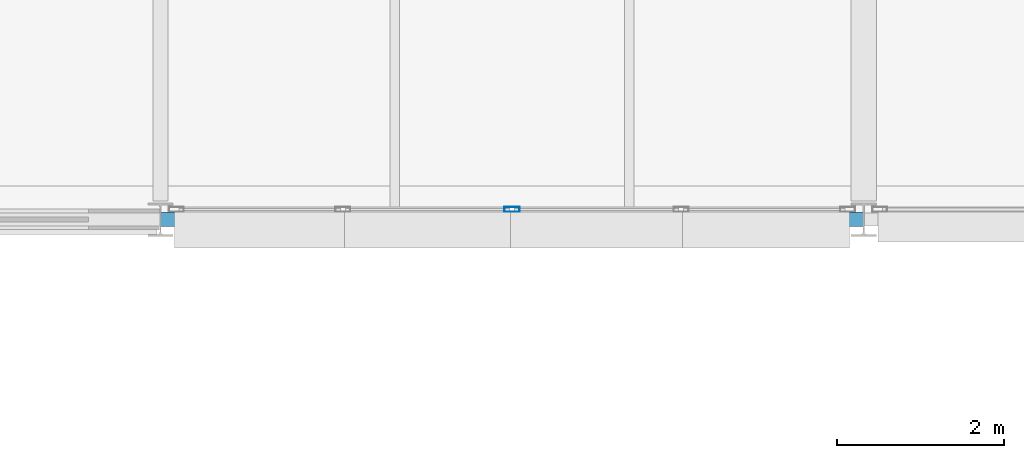
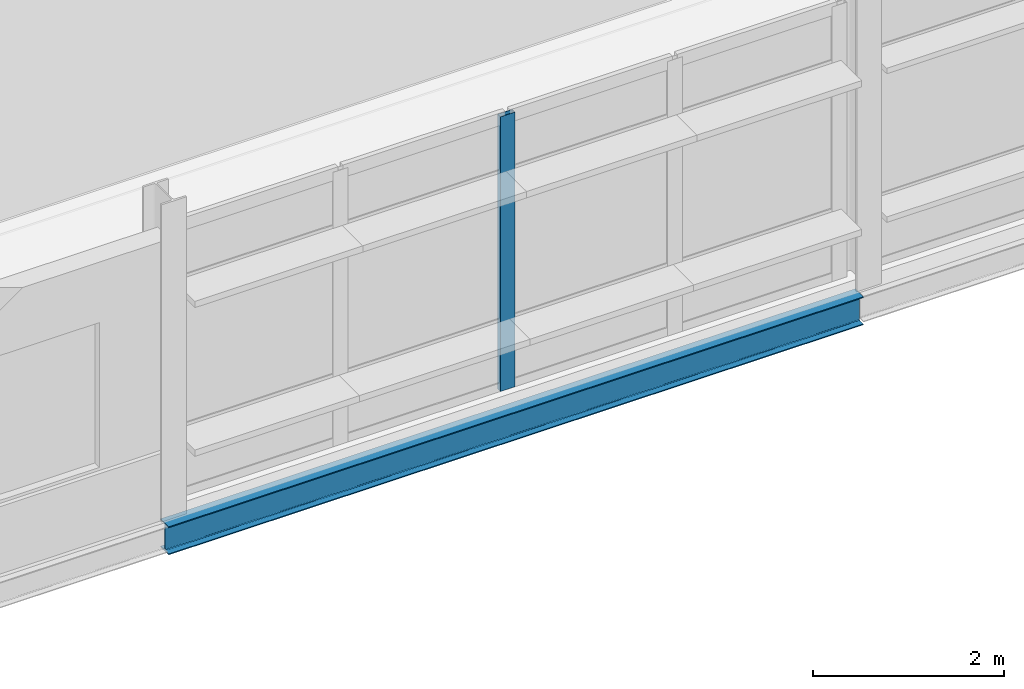
# One storey, part 27 of 103: 1 beam, 1 member, 1 element without a shape of its own.
"""IFC4 building model written with IfcOpenShell, lengths in metres."""

import ifcopenshell
import ifcopenshell.guid

model = None  # the IFC model being written
_history = None  # IfcOwnerHistory: only IFC2X3 demands one
_inside = {}  # id of a spatial element -> (the spatial element, [elements in it])
_under = {}  # id of a project, library or spatial element -> (it, [spatial elements below it])
_declared = {}  # id of a project -> (the project, [libraries it declares])
_typed = {}  # id of a type object -> (the type object, [elements of that type])
_made_of = {}  # id of a material, layer set ... -> (it, [elements and type objects made of it])


def new_model(schema):
    """Start an empty IFC model of exactly this schema.

    Asked for "IFC4X3", IfcOpenShell would pick the latest addendum, in which some entities
    have other attributes; the version numbers below select the first issue.
    IFC2X3 requires an IfcOwnerHistory on every rooted entity: one is made here for all.
    """
    global model, _history
    if schema == "IFC4X3":
        model = ifcopenshell.file(schema_version=(4, 3, 0, 0))
    else:
        model = ifcopenshell.file(schema=schema)
    _inside.clear()
    _under.clear()
    _declared.clear()
    _typed.clear()
    _made_of.clear()
    _history = None
    if model.schema == "IFC2X3":
        org = make("IfcOrganization", Name="unknown")
        user = make(
            "IfcPersonAndOrganization",
            ThePerson=make("IfcPerson", FamilyName="unknown"),
            TheOrganization=org,
        )
        app = make(
            "IfcApplication",
            ApplicationDeveloper=org,
            Version="unknown",
            ApplicationFullName="unknown",
            ApplicationIdentifier="unknown",
        )
        _history = make(
            "IfcOwnerHistory",
            OwningUser=user,
            OwningApplication=app,
            ChangeAction="ADDED",
            CreationDate=0,
        )
    return model


def make(cls, **values):
    """One entity of the class cls with the attributes given. An attribute that is None is left unset."""
    return model.create_entity(
        cls, **{name: value for name, value in values.items() if value is not None}
    )


def rooted(cls, **values):
    """An entity with a GlobalId (a new one), such as an element, a storey or a relation."""
    return make(cls, GlobalId=ifcopenshell.guid.new(), OwnerHistory=_history, **values)


def si_unit(unit_type, name, prefix=None):
    """IfcSIUnit, for example si_unit("LENGTHUNIT", "METRE", prefix="MILLI")."""
    return make("IfcSIUnit", UnitType=unit_type, Prefix=prefix, Name=name)


def assignment(units):
    """IfcUnitAssignment: the units of a project."""
    return None if units is None else make("IfcUnitAssignment", Units=units)


def point(xyz):
    """IfcCartesianPoint."""
    return None if xyz is None else make("IfcCartesianPoint", Coordinates=xyz)


def direction(xyz):
    """IfcDirection."""
    return None if xyz is None else make("IfcDirection", DirectionRatios=xyz)


def frame(location, z_axis=None, x_axis=None):
    """IfcAxis2Placement3D, a coordinate frame: its origin and axes. An axis left out is left unset."""
    return make(
        "IfcAxis2Placement3D",
        Location=point(location),
        Axis=direction(z_axis),
        RefDirection=direction(x_axis),
    )


def frame_2d(location, x_axis=None):
    """IfcAxis2Placement2D, a coordinate frame in the plane: its origin and x axis."""
    return make(
        "IfcAxis2Placement2D", Location=point(location), RefDirection=direction(x_axis)
    )


def origin():
    """The frame at (0, 0, 0) with its axes left unset."""
    return frame((0.0, 0.0, 0.0))


def origin_2d():
    """The frame at (0, 0) in the plane with its x axis left unset."""
    return frame_2d((0.0, 0.0))


def place(relative_to, where):
    """IfcLocalPlacement: puts the frame where relative to a parent placement (None: the world)."""
    return make(
        "IfcLocalPlacement", PlacementRelTo=relative_to, RelativePlacement=where
    )


def context(
    kind, dimensions, precision=None, world=None, true_north=None, identifier=None
):
    """IfcGeometricRepresentationContext, for example the 3D "Model" context."""
    return make(
        "IfcGeometricRepresentationContext",
        ContextIdentifier=identifier,
        ContextType=kind,
        CoordinateSpaceDimension=dimensions,
        Precision=precision,
        WorldCoordinateSystem=world,
        TrueNorth=true_north,
    )


def subcontext(parent, identifier, kind, view, scale=None):
    """IfcGeometricRepresentationSubContext, for example "Body" below "Model"."""
    return make(
        "IfcGeometricRepresentationSubContext",
        ContextIdentifier=identifier,
        ContextType=kind,
        ParentContext=parent,
        TargetScale=scale,
        TargetView=view,
    )


def project(units=None, contexts=None):
    """IfcProject with its units and contexts."""
    return rooted(
        "IfcProject",
        Name="project",
        RepresentationContexts=contexts,
        UnitsInContext=assignment(units),
    )


def spatial(cls, under=None, at=None, **own):
    """A site, building, storey or space (cls), placed at a placement, below another one or the project."""
    s = rooted(cls, ObjectPlacement=at, **own)
    if under is not None:
        _under.setdefault(under.id(), (under, []))[1].append(s)
    return s


def profile(cls, at=None, kind="AREA", **sizes):
    """A parametric profile (cls). Its sizes go by their IFC names, for example OverallWidth=200.0."""
    return make(cls, ProfileType=kind, Position=at, **sizes)


def hollow_rectangle(**sizes):
    """IfcRectangleHollowProfileDef."""
    return profile("IfcRectangleHollowProfileDef", **sizes)


def i_section(**sizes):
    """IfcIShapeProfileDef."""
    return profile("IfcIShapeProfileDef", **sizes)


def extrude(swept, where, along, depth):
    """IfcExtrudedAreaSolid: the profile swept, set in the frame where, extruded along a direction by depth."""
    return make(
        "IfcExtrudedAreaSolid",
        SweptArea=swept,
        Position=where,
        ExtrudedDirection=direction(along),
        Depth=depth,
    )


def shape(context_of_items, identifier, shape_type, items):
    """IfcShapeRepresentation: the items that make up one representation, for example the "Body"."""
    return make(
        "IfcShapeRepresentation",
        ContextOfItems=context_of_items,
        RepresentationIdentifier=identifier,
        RepresentationType=shape_type,
        Items=items,
    )


def material(Name=None, Category=None):
    """IfcMaterial."""
    return make("IfcMaterial", Name=Name, Category=Category)


def material_profile(
    of_material, cross_section, Name=None, Category=None, Priority=None
):
    """IfcMaterialProfile: a cross section and its material."""
    return make(
        "IfcMaterialProfile",
        Name=Name,
        Material=of_material,
        Profile=cross_section,
        Priority=Priority,
        Category=Category,
    )


def profile_set(profiles, Name=None, composite=None):
    """IfcMaterialProfileSet."""
    return make(
        "IfcMaterialProfileSet",
        Name=Name,
        MaterialProfiles=profiles,
        CompositeProfile=composite,
    )


def made_of(thing, what):
    """Note that an element or type object is made of a material, layer set ...; save() writes the relation."""
    if what is not None:
        _made_of.setdefault(what.id(), (what, []))[1].append(thing)
    return thing


def type_object(cls, material=None, **own):
    """A type object (cls), such as IfcWallType, which elements share."""
    return made_of(rooted(cls, **own), material)


def element(
    cls,
    number,
    at=None,
    inside=None,
    cuts=None,
    type_object=None,
    material=None,
    context=None,
    identifier="Body",
    shape_type=None,
    held_by="IfcProductDefinitionShape",
    body=None,
    shapes=None,
    **own,
):
    """One element of the class cls, such as IfcWall. Its Tag is "e" and its number.

    at: its placement. inside: the storey or other place that contains it. cuts: it is an
    opening in that element (IfcRelVoidsElement). A single representation is given by context,
    identifier, shape_type and body (its items); several are given by shapes. held_by: the class
    of the entity that holds the representations. save() writes the other relations.
    """
    e = rooted(cls, Tag="e%d" % number, ObjectPlacement=at, **own)
    if body is not None:
        shapes = [shape(context, identifier, shape_type, body)]
    if shapes is not None:
        e.Representation = make(held_by, Representations=shapes)
    if inside is not None:
        _inside.setdefault(inside.id(), (inside, []))[1].append(e)
    if cuts is not None:
        rooted(
            "IfcRelVoidsElement", RelatingBuildingElement=cuts, RelatedOpeningElement=e
        )
    if type_object is not None:
        _typed.setdefault(type_object.id(), (type_object, []))[1].append(e)
    return made_of(e, material)


def aggregate(whole, parts):
    """IfcRelAggregates: a whole, such as a stair, and the parts it consists of."""
    return rooted("IfcRelAggregates", RelatingObject=whole, RelatedObjects=parts)


def save(model, path):
    """Write the relations noted so far, then the file.

    IfcRelAggregates (storeys below a building ...), IfcRelContainedInSpatialStructure (elements
    in a storey), IfcRelDefinesByType, IfcRelAssociatesMaterial and IfcRelDeclares: one each for
    every whole, place, type object, material and project.
    """
    for whole, parts in _under.values():
        aggregate(whole, parts)
    for where, things in _inside.values():
        rooted(
            "IfcRelContainedInSpatialStructure",
            RelatedElements=things,
            RelatingStructure=where,
        )
    for kind, things in _typed.values():
        rooted("IfcRelDefinesByType", RelatedObjects=things, RelatingType=kind)
    for what, things in _made_of.values():
        rooted("IfcRelAssociatesMaterial", RelatedObjects=things, RelatingMaterial=what)
    for by, libraries in _declared.values():
        rooted("IfcRelDeclares", RelatingContext=by, RelatedDefinitions=libraries)
    model.write(path)


model = new_model("IFC4")

# Units and contexts
model_context = context("Model", 3, precision=1e-05, world=origin(), true_north=direction((0.0, 1.0)))
body_context = subcontext(model_context, "Body", "Model", "MODEL_VIEW")
ifc_project = project(units=[si_unit("LENGTHUNIT", "METRE"), si_unit("AREAUNIT", "SQUARE_METRE"), si_unit("VOLUMEUNIT", "CUBIC_METRE"), si_unit("PLANEANGLEUNIT", "RADIAN"), si_unit("MASSUNIT", "GRAM", prefix="KILO")], contexts=[model_context])

# Site, building, storey
site_placement = place(None, origin())
site = spatial("IfcSite", under=ifc_project, at=site_placement, CompositionType="ELEMENT")
building_placement = place(site_placement, origin())
building = spatial("IfcBuilding", under=site, at=building_placement, Name="Mersafa Astral City Hall", CompositionType="ELEMENT")
storey_placement = place(building_placement, frame((0.0, 0.0, 18.0)))
storey = spatial("IfcBuildingStorey", under=building, at=storey_placement, Name="L04", CompositionType="ELEMENT", Elevation=18.0)

# Curtain wall, member
ifc_material_1 = material(Name="Anodised bronze aluminium framing", Category="aluminium")
curtain_wall_type = type_object("IfcCurtainWallType", Name="ENV-CW-1", PredefinedType="USERDEFINED", material=ifc_material_1)
curtain_wall_placement = place(storey_placement, origin())
curtain_wall = element("IfcCurtainWall", 1, at=curtain_wall_placement, inside=storey, type_object=curtain_wall_type, Name="L04 Unitised solar curtain wall 204", ObjectType="UNITISED CURTAIN WALL", PredefinedType="USERDEFINED")
ifc_material_profile_1 = material_profile(ifc_material_1, hollow_rectangle(XDim=0.06005859375, YDim=0.179931640625, WallThickness=0.00390625, at=origin_2d()), Name="RHS 60x180x4")
ifc_profile_set_1 = profile_set([ifc_material_profile_1], Name="Anodised bronze aluminium framing")
member_type = type_object("IfcMemberType", Name="ENV-CW-MUL-1", PredefinedType="MULLION", material=ifc_profile_set_1)
member_placement = place(storey_placement, frame((71.39990234375, 117.719970703125, -0.001953125), z_axis=(0.0, 0.0, 1.0), x_axis=(0.0, 1.0, 0.0)))
member = element("IfcMember", 2, at=member_placement, type_object=member_type, Name="CW-1 mullion 3", PredefinedType="MULLION", context=body_context, shape_type="SweptSolid", body=[
    extrude(hollow_rectangle(XDim=0.06005859375, YDim=0.179931640625, WallThickness=0.00390625, at=origin_2d()), origin(), (0.0, 0.0, 1.0), 3.509033203125),
])
aggregate(curtain_wall, [member])

# Beam
ifc_material_2 = material(Name="Steel S355", Category="steel")
ifc_material_profile_2 = material_profile(ifc_material_2, i_section(OverallWidth=0.169921875, OverallDepth=0.360107421875, WebThickness=0.008056640625, FlangeThickness=0.0126953125, FilletRadius=0.01806640625, at=origin_2d()), Name="IPE 360")
ifc_profile_set_2 = profile_set([ifc_material_profile_2], Name="Steel S355")
beam_type = type_object("IfcBeamType", Name="STR-BM-SPANDREL-IPE360", PredefinedType="SPANDREL", material=ifc_profile_set_2)
beam_placement = place(storey_placement, frame((67.202880859375, 117.60009765625, -0.364990234375), z_axis=(1.0, 0.0, 0.0), x_axis=(0.0, 1.0, 0.0)))
element("IfcBeam", 3, at=beam_placement, inside=storey, type_object=beam_type, Name="L04 Primary girder X 8-14", PredefinedType="SPANDREL", context=body_context, shape_type="SweptSolid", body=[
    extrude(i_section(OverallWidth=0.169921875, OverallDepth=0.360107421875, WebThickness=0.008056640625, FlangeThickness=0.0126953125, FilletRadius=0.01806640625, at=origin_2d()), origin(), (0.0, 0.0, 1.0), 8.39404296875),
])

save(model, "model.ifc")
